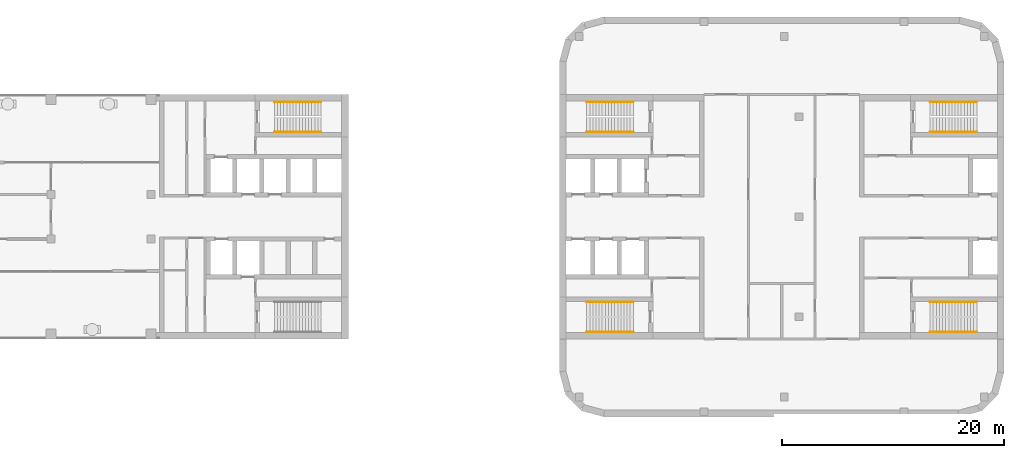
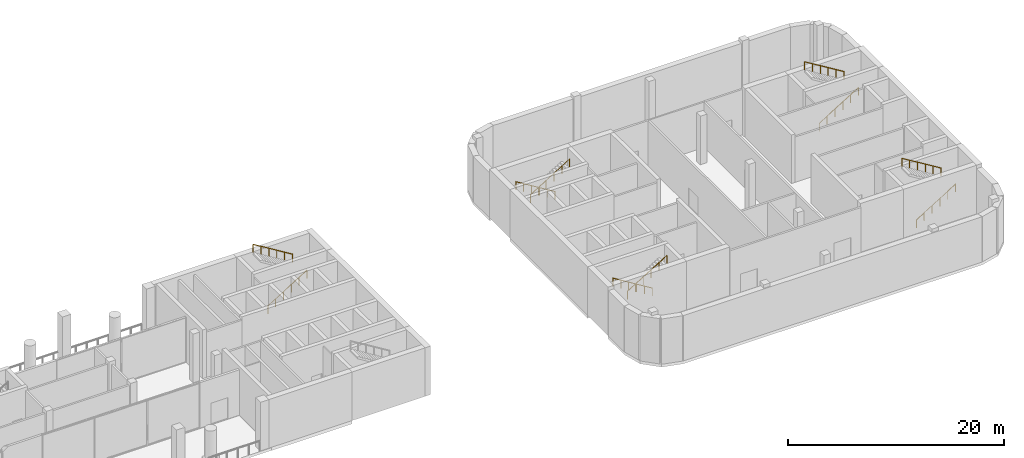
# One storey, part 17 of 19: 10 railings.
"""IFC4 building model written with IfcOpenShell, lengths in metres."""

from ifc_helpers import new_model, si_unit, direction, frame, origin, origin_2d, place, context, subcontext, project, spatial, circle, extrude, material, type_object, element, save


model = new_model("IFC4")

# Units and contexts
model_context = context("Model", 3, precision=1e-05, world=origin(), true_north=direction((0.0, 1.0)))
body_context = subcontext(model_context, "Body", "Model", "MODEL_VIEW")
ifc_project = project(units=[si_unit("LENGTHUNIT", "METRE"), si_unit("AREAUNIT", "SQUARE_METRE"), si_unit("VOLUMEUNIT", "CUBIC_METRE"), si_unit("PLANEANGLEUNIT", "RADIAN"), si_unit("MASSUNIT", "GRAM", prefix="KILO")], contexts=[model_context])

# Site, building, storey
site_placement = place(None, origin())
site = spatial("IfcSite", under=ifc_project, at=site_placement, CompositionType="ELEMENT")
building_placement = place(site_placement, origin())
building = spatial("IfcBuilding", under=site, at=building_placement, Name="Skarvind Civic Tower", CompositionType="ELEMENT")
storey_placement = place(building_placement, frame((0.0, 0.0, 75.5)))
storey = spatial("IfcBuildingStorey", under=building, at=storey_placement, Name="L17", CompositionType="ELEMENT", Elevation=75.5)

# Railings
ifc_material = material(Name="Painted steel handrail", Category="steel")
railing_type = type_object("IfcRailingType", Name="Stair handrail 900", PredefinedType="HANDRAIL", material=ifc_material)
railing_1_placement = place(storey_placement, frame((101.35009765625, 135.64990234375, 0.171875)))
element("IfcRailing", 1, at=railing_1_placement, inside=storey, type_object=railing_type, Name="Stair handrail", PredefinedType="HANDRAIL", context=body_context, shape_type="SweptSolid", body=[
    extrude(circle(Radius=0.02392578125, at=origin_2d()), frame((0.0, 0.0, 0.8759765625), z_axis=(0.852242915053, 0.0, 0.523146264196), x_axis=(0.0, 1.0, 0.0)), (0.0, 0.0, 1.0), 4.92822265625),
    extrude(circle(Radius=0.02099609375, at=origin_2d()), origin(), (0.0, 0.0, 1.0), 0.851806640625),
    extrude(circle(Radius=0.02099609375, at=origin_2d()), frame((0.840087890625, 0.0, 0.515625)), (0.0, 0.0, 1.0), 0.851806640625),
    extrude(circle(Radius=0.02099609375, at=origin_2d()), frame((1.679931640625, 0.0, 1.03125)), (0.0, 0.0, 1.0), 0.851806640625),
    extrude(circle(Radius=0.02099609375, at=origin_2d()), frame((2.52001953125, 0.0, 1.546875)), (0.0, 0.0, 1.0), 0.851806640625),
    extrude(circle(Radius=0.02099609375, at=origin_2d()), frame((3.35986328125, 0.0, 2.0625)), (0.0, 0.0, 1.0), 0.851806640625),
    extrude(circle(Radius=0.02099609375, at=origin_2d()), frame((4.199951171875, 0.0, 2.578125)), (0.0, 0.0, 1.0), 0.851806640625),
])
for number, where, name in (
    (2, (105.550048828125, 138.35009765625, 2.921875), "Stair handrail"),
    (3, (133.64990234375, 120.35009765625, 0.171875), "Stair handrail"),
):
    element("IfcRailing", number, at=place(storey_placement, frame(where)), inside=storey, type_object=railing_type, Name=name, PredefinedType="HANDRAIL", context=body_context, shape_type="SweptSolid", body=[
        extrude(circle(Radius=0.02392578125, at=origin_2d()), frame((0.0, 0.0, 0.8759765625), z_axis=(-0.852242915053, 0.0, 0.523146264196), x_axis=(0.0, -1.0, 0.0)), (0.0, 0.0, 1.0), 4.92822265625),
        extrude(circle(Radius=0.02099609375, at=origin_2d()), origin(), (0.0, 0.0, 1.0), 0.851806640625),
        extrude(circle(Radius=0.02099609375, at=origin_2d()), frame((-0.840087890625, 0.0, 0.515625)), (0.0, 0.0, 1.0), 0.851806640625),
        extrude(circle(Radius=0.02099609375, at=origin_2d()), frame((-1.679931640625, 0.0, 1.03125)), (0.0, 0.0, 1.0), 0.851806640625),
        extrude(circle(Radius=0.02099609375, at=origin_2d()), frame((-2.52001953125, 0.0, 1.546875)), (0.0, 0.0, 1.0), 0.851806640625),
        extrude(circle(Radius=0.02099609375, at=origin_2d()), frame((-3.35986328125, 0.0, 2.0625)), (0.0, 0.0, 1.0), 0.851806640625),
        extrude(circle(Radius=0.02099609375, at=origin_2d()), frame((-4.199951171875, 0.0, 2.578125)), (0.0, 0.0, 1.0), 0.851806640625),
    ])
railing_2_placement = place(storey_placement, frame((129.449951171875, 117.64990234375, 2.921875)))
element("IfcRailing", 4, at=railing_2_placement, inside=storey, type_object=railing_type, Name="Stair handrail", PredefinedType="HANDRAIL", context=body_context, shape_type="SweptSolid", body=[
    extrude(circle(Radius=0.02392578125, at=origin_2d()), frame((0.0, 0.0, 0.8759765625), z_axis=(0.852242915053, 0.0, 0.523146264196), x_axis=(0.0, 1.0, 0.0)), (0.0, 0.0, 1.0), 4.92822265625),
    extrude(circle(Radius=0.02099609375, at=origin_2d()), origin(), (0.0, 0.0, 1.0), 0.851806640625),
    extrude(circle(Radius=0.02099609375, at=origin_2d()), frame((0.840087890625, 0.0, 0.515625)), (0.0, 0.0, 1.0), 0.851806640625),
    extrude(circle(Radius=0.02099609375, at=origin_2d()), frame((1.679931640625, 0.0, 1.03125)), (0.0, 0.0, 1.0), 0.851806640625),
    extrude(circle(Radius=0.02099609375, at=origin_2d()), frame((2.52001953125, 0.0, 1.546875)), (0.0, 0.0, 1.0), 0.851806640625),
    extrude(circle(Radius=0.02099609375, at=origin_2d()), frame((3.35986328125, 0.0, 2.0625)), (0.0, 0.0, 1.0), 0.851806640625),
    extrude(circle(Radius=0.02099609375, at=origin_2d()), frame((4.199951171875, 0.0, 2.578125)), (0.0, 0.0, 1.0), 0.851806640625),
])
railing_3_placement = place(storey_placement, frame((133.64990234375, 138.35009765625, 0.171875)))
element("IfcRailing", 5, at=railing_3_placement, inside=storey, type_object=railing_type, Name="Stair handrail", PredefinedType="HANDRAIL", context=body_context, shape_type="SweptSolid", body=[
    extrude(circle(Radius=0.02392578125, at=origin_2d()), frame((0.0, 0.0, 0.8759765625), z_axis=(-0.852242915053, 0.0, 0.523146264196), x_axis=(0.0, -1.0, 0.0)), (0.0, 0.0, 1.0), 4.92822265625),
    extrude(circle(Radius=0.02099609375, at=origin_2d()), origin(), (0.0, 0.0, 1.0), 0.851806640625),
    extrude(circle(Radius=0.02099609375, at=origin_2d()), frame((-0.840087890625, 0.0, 0.515625)), (0.0, 0.0, 1.0), 0.851806640625),
    extrude(circle(Radius=0.02099609375, at=origin_2d()), frame((-1.679931640625, 0.0, 1.03125)), (0.0, 0.0, 1.0), 0.851806640625),
    extrude(circle(Radius=0.02099609375, at=origin_2d()), frame((-2.52001953125, 0.0, 1.546875)), (0.0, 0.0, 1.0), 0.851806640625),
    extrude(circle(Radius=0.02099609375, at=origin_2d()), frame((-3.35986328125, 0.0, 2.0625)), (0.0, 0.0, 1.0), 0.851806640625),
    extrude(circle(Radius=0.02099609375, at=origin_2d()), frame((-4.199951171875, 0.0, 2.578125)), (0.0, 0.0, 1.0), 0.851806640625),
])
for number, where, name in (
    (6, (129.449951171875, 135.64990234375, 2.921875), "Stair handrail"),
    (7, (160.35009765625, 135.64990234375, 0.171875), "Stair handrail"),
):
    element("IfcRailing", number, at=place(storey_placement, frame(where)), inside=storey, type_object=railing_type, Name=name, PredefinedType="HANDRAIL", context=body_context, shape_type="SweptSolid", body=[
        extrude(circle(Radius=0.02392578125, at=origin_2d()), frame((0.0, 0.0, 0.8759765625), z_axis=(0.852242915053, 0.0, 0.523146264196), x_axis=(0.0, 1.0, 0.0)), (0.0, 0.0, 1.0), 4.92822265625),
        extrude(circle(Radius=0.02099609375, at=origin_2d()), origin(), (0.0, 0.0, 1.0), 0.851806640625),
        extrude(circle(Radius=0.02099609375, at=origin_2d()), frame((0.840087890625, 0.0, 0.515625)), (0.0, 0.0, 1.0), 0.851806640625),
        extrude(circle(Radius=0.02099609375, at=origin_2d()), frame((1.679931640625, 0.0, 1.03125)), (0.0, 0.0, 1.0), 0.851806640625),
        extrude(circle(Radius=0.02099609375, at=origin_2d()), frame((2.52001953125, 0.0, 1.546875)), (0.0, 0.0, 1.0), 0.851806640625),
        extrude(circle(Radius=0.02099609375, at=origin_2d()), frame((3.35986328125, 0.0, 2.0625)), (0.0, 0.0, 1.0), 0.851806640625),
        extrude(circle(Radius=0.02099609375, at=origin_2d()), frame((4.199951171875, 0.0, 2.578125)), (0.0, 0.0, 1.0), 0.851806640625),
    ])
railing_4_placement = place(storey_placement, frame((164.550048828125, 138.35009765625, 2.921875)))
element("IfcRailing", 8, at=railing_4_placement, inside=storey, type_object=railing_type, Name="Stair handrail", PredefinedType="HANDRAIL", context=body_context, shape_type="SweptSolid", body=[
    extrude(circle(Radius=0.02392578125, at=origin_2d()), frame((0.0, 0.0, 0.8759765625), z_axis=(-0.852242915053, 0.0, 0.523146264196), x_axis=(0.0, -1.0, 0.0)), (0.0, 0.0, 1.0), 4.92822265625),
    extrude(circle(Radius=0.02099609375, at=origin_2d()), origin(), (0.0, 0.0, 1.0), 0.851806640625),
    extrude(circle(Radius=0.02099609375, at=origin_2d()), frame((-0.840087890625, 0.0, 0.515625)), (0.0, 0.0, 1.0), 0.851806640625),
    extrude(circle(Radius=0.02099609375, at=origin_2d()), frame((-1.679931640625, 0.0, 1.03125)), (0.0, 0.0, 1.0), 0.851806640625),
    extrude(circle(Radius=0.02099609375, at=origin_2d()), frame((-2.52001953125, 0.0, 1.546875)), (0.0, 0.0, 1.0), 0.851806640625),
    extrude(circle(Radius=0.02099609375, at=origin_2d()), frame((-3.35986328125, 0.0, 2.0625)), (0.0, 0.0, 1.0), 0.851806640625),
    extrude(circle(Radius=0.02099609375, at=origin_2d()), frame((-4.199951171875, 0.0, 2.578125)), (0.0, 0.0, 1.0), 0.851806640625),
])
railing_5_placement = place(storey_placement, frame((160.35009765625, 117.64990234375, 0.171875)))
element("IfcRailing", 9, at=railing_5_placement, inside=storey, type_object=railing_type, Name="Stair handrail", PredefinedType="HANDRAIL", context=body_context, shape_type="SweptSolid", body=[
    extrude(circle(Radius=0.02392578125, at=origin_2d()), frame((0.0, 0.0, 0.8759765625), z_axis=(0.852242915053, 0.0, 0.523146264196), x_axis=(0.0, 1.0, 0.0)), (0.0, 0.0, 1.0), 4.92822265625),
    extrude(circle(Radius=0.02099609375, at=origin_2d()), origin(), (0.0, 0.0, 1.0), 0.851806640625),
    extrude(circle(Radius=0.02099609375, at=origin_2d()), frame((0.840087890625, 0.0, 0.515625)), (0.0, 0.0, 1.0), 0.851806640625),
    extrude(circle(Radius=0.02099609375, at=origin_2d()), frame((1.679931640625, 0.0, 1.03125)), (0.0, 0.0, 1.0), 0.851806640625),
    extrude(circle(Radius=0.02099609375, at=origin_2d()), frame((2.52001953125, 0.0, 1.546875)), (0.0, 0.0, 1.0), 0.851806640625),
    extrude(circle(Radius=0.02099609375, at=origin_2d()), frame((3.35986328125, 0.0, 2.0625)), (0.0, 0.0, 1.0), 0.851806640625),
    extrude(circle(Radius=0.02099609375, at=origin_2d()), frame((4.199951171875, 0.0, 2.578125)), (0.0, 0.0, 1.0), 0.851806640625),
])
railing_6_placement = place(storey_placement, frame((164.550048828125, 120.35009765625, 2.921875)))
element("IfcRailing", 10, at=railing_6_placement, inside=storey, type_object=railing_type, Name="Stair handrail", PredefinedType="HANDRAIL", context=body_context, shape_type="SweptSolid", body=[
    extrude(circle(Radius=0.02392578125, at=origin_2d()), frame((0.0, 0.0, 0.8759765625), z_axis=(-0.852242915053, 0.0, 0.523146264196), x_axis=(0.0, -1.0, 0.0)), (0.0, 0.0, 1.0), 4.92822265625),
    extrude(circle(Radius=0.02099609375, at=origin_2d()), origin(), (0.0, 0.0, 1.0), 0.851806640625),
    extrude(circle(Radius=0.02099609375, at=origin_2d()), frame((-0.840087890625, 0.0, 0.515625)), (0.0, 0.0, 1.0), 0.851806640625),
    extrude(circle(Radius=0.02099609375, at=origin_2d()), frame((-1.679931640625, 0.0, 1.03125)), (0.0, 0.0, 1.0), 0.851806640625),
    extrude(circle(Radius=0.02099609375, at=origin_2d()), frame((-2.52001953125, 0.0, 1.546875)), (0.0, 0.0, 1.0), 0.851806640625),
    extrude(circle(Radius=0.02099609375, at=origin_2d()), frame((-3.35986328125, 0.0, 2.0625)), (0.0, 0.0, 1.0), 0.851806640625),
    extrude(circle(Radius=0.02099609375, at=origin_2d()), frame((-4.199951171875, 0.0, 2.578125)), (0.0, 0.0, 1.0), 0.851806640625),
])

save(model, "model.ifc")
